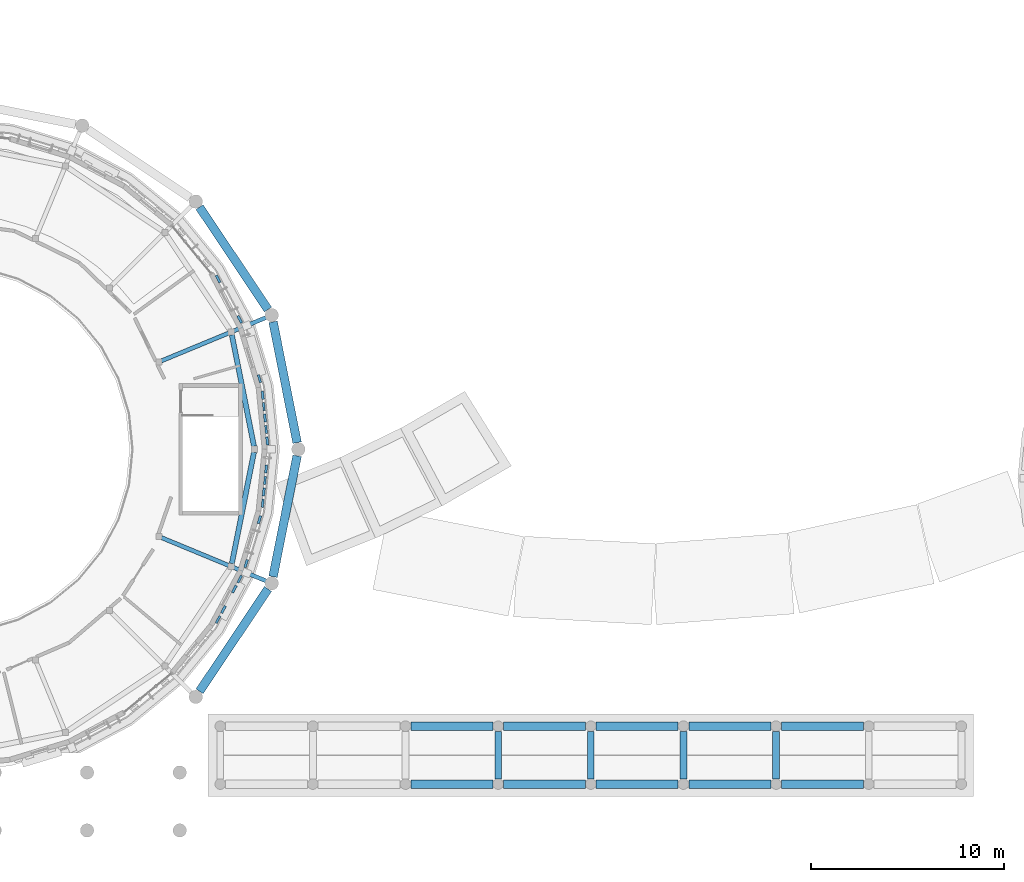
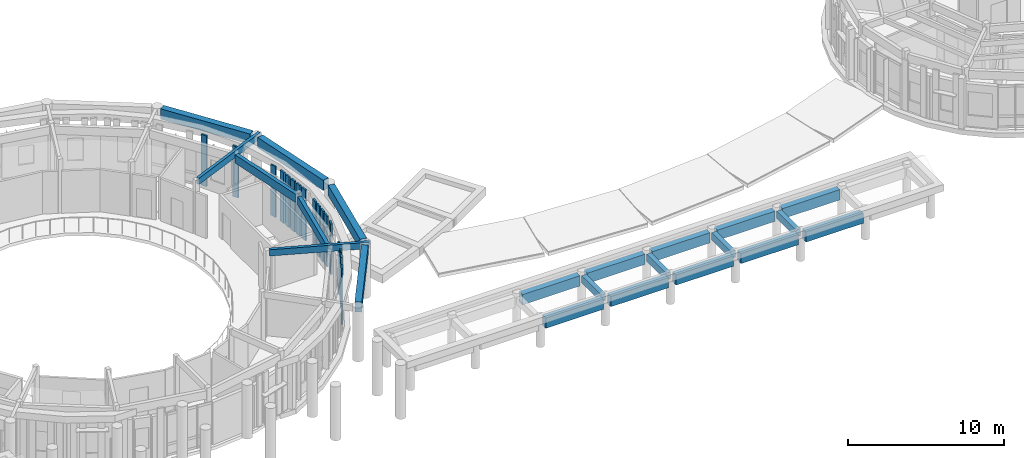
# One storey, part 15 of 80: 20 beams, 20 members.
"""IFC4 building model written with IfcOpenShell, lengths in metres."""

from ifc_helpers import new_model, si_unit, direction, frame, origin, origin_2d, place, context, subcontext, project, spatial, rectangle, extrude, material, material_profile, profile_set, type_object, element, save


model = new_model("IFC4")

# Units and contexts
model_context = context("Model", 3, precision=1e-05, world=origin(), true_north=direction((0.0, 1.0)))
body_context = subcontext(model_context, "Body", "Model", "MODEL_VIEW")
ifc_project = project(units=[si_unit("LENGTHUNIT", "METRE"), si_unit("AREAUNIT", "SQUARE_METRE"), si_unit("VOLUMEUNIT", "CUBIC_METRE"), si_unit("PLANEANGLEUNIT", "RADIAN"), si_unit("MASSUNIT", "GRAM", prefix="KILO")], contexts=[model_context])

# Site, building, storey
site_placement = place(None, origin())
site = spatial("IfcSite", under=ifc_project, at=site_placement, CompositionType="ELEMENT")
building_placement = place(site_placement, origin())
building = spatial("IfcBuilding", under=site, at=building_placement, Name="Aldenvaro Health Centre", CompositionType="ELEMENT")
storey_placement = place(building_placement, frame((0.0, 0.0, 4.550048828125)))
storey = spatial("IfcBuildingStorey", under=building, at=storey_placement, Name="L01", CompositionType="ELEMENT", Elevation=4.550048828125)

# Beams
ifc_material_1 = material(Name="Glulam GL28h", Category="wood")
ifc_material_profile_1 = material_profile(ifc_material_1, rectangle(XDim=0.264892578125, YDim=0.64599609375, at=origin_2d()), Name="GL 265x646", Category="wood")
ifc_profile_set_1 = profile_set([ifc_material_profile_1], Name="Glulam GL28h")
beam_type_1 = type_object("IfcBeamType", Name="BM-GL-646", PredefinedType="SPANDREL", material=ifc_profile_set_1)
for number, where, z_axis, x_axis, name in (
    (1, (102.84912109375, 20.154052734375, 3.636962890625), (-0.19503844742, 0.980795597476, 0.0), (-0.980795597476, -0.19503844742, 0.0), "D1 L01 perimeter spandrel 01"),
    (2, (101.701904296875, 14.076904296875, 3.636962890625), (0.19503844742, 0.980795597476, 0.0), (-0.980795597476, 0.19503844742, 0.0), "D1 L01 perimeter spandrel 16"),
):
    element("IfcBeam", number, at=place(storey_placement, frame(where, z_axis=z_axis, x_axis=x_axis)), inside=storey, type_object=beam_type_1, Name=name, PredefinedType="SPANDREL", context=body_context, shape_type="SweptSolid", body=[
        extrude(rectangle(XDim=0.264892578125, YDim=0.64599609375, at=origin_2d()), origin(), (0.0, 0.0, 1.0), 5.882080078125),
    ])
ifc_material_2 = material(Name="Concrete f'c 40 MPa", Category="concrete")
ifc_material_profile_2 = material_profile(ifc_material_2, rectangle(XDim=0.35009765625, YDim=0.56005859375, at=origin_2d()), Name="RC 350x560", Category="concrete")
ifc_profile_set_2 = profile_set([ifc_material_profile_2], Name="Concrete f'c 40 MPa")
beam_type_2 = type_object("IfcBeamType", Name="BM-RC-560E", PredefinedType="JOIST", material=ifc_profile_set_2)
for number, where, z_axis, x_axis, name in (
    (3, (115.5, 2.925048828125, 1.869873046875), (0.0, 1.0, 0.0), (-1.0, 0.0, 0.0), "South Stoa E Transverse Beam L01-4"),
    (4, (120.300048828125, 2.925048828125, 1.869873046875), (0.0, 1.0, 0.0), (-1.0, 0.0, 0.0), "South Stoa E Transverse Beam L01-5"),
    (5, (125.10009765625, 2.925048828125, 1.869873046875), (0.0, 1.0, 0.0), (-1.0, 0.0, 0.0), "South Stoa E Transverse Beam L01-6"),
    (6, (129.89990234375, 2.925048828125, 1.869873046875), (0.0, 1.0, 0.0), (-1.0, 0.0, 0.0), "South Stoa E Transverse Beam L01-7"),
):
    element("IfcBeam", number, at=place(storey_placement, frame(where, z_axis=z_axis, x_axis=x_axis)), inside=storey, type_object=beam_type_2, Name=name, PredefinedType="JOIST", context=body_context, shape_type="SweptSolid", body=[
        extrude(rectangle(XDim=0.35009765625, YDim=0.56005859375, at=origin_2d()), origin(), (0.0, 0.0, 1.0), 2.449951171875),
    ])
ifc_material_profile_3 = material_profile(ifc_material_2, rectangle(XDim=0.449951171875, YDim=0.800048828125, at=origin_2d()), Name="RC 450x800", Category="concrete")
ifc_profile_set_3 = profile_set([ifc_material_profile_3], Name="Concrete f'c 40 MPa")
beam_type_3 = type_object("IfcBeamType", Name="BM-RC-800", PredefinedType="SPANDREL", material=ifc_profile_set_3)
for number, where, z_axis, x_axis, name in (
    (7, (110.97509765625, 2.64990234375, 1.75), (1.0, 0.0, 0.0), (0.0, 1.0, 0.0), "South Stoa E Classical Architrave L01-3.1"),
    (8, (110.97509765625, 5.64990234375, 1.75), (1.0, 0.0, 0.0), (0.0, 1.0, 0.0), "South Stoa E Classical Architrave L01-3.2"),
    (9, (115.77490234375, 2.64990234375, 1.75), (1.0, 0.0, 0.0), (0.0, 1.0, 0.0), "South Stoa E Classical Architrave L01-4.1"),
    (10, (115.77490234375, 5.64990234375, 1.75), (1.0, 0.0, 0.0), (0.0, 1.0, 0.0), "South Stoa E Classical Architrave L01-4.2"),
    (11, (120.574951171875, 2.64990234375, 1.75), (1.0, 0.0, 0.0), (0.0, 1.0, 0.0), "South Stoa E Classical Architrave L01-5.1"),
    (12, (120.574951171875, 5.64990234375, 1.75), (1.0, 0.0, 0.0), (0.0, 1.0, 0.0), "South Stoa E Classical Architrave L01-5.2"),
    (13, (125.375, 2.64990234375, 1.75), (1.0, 0.0, 0.0), (0.0, 1.0, 0.0), "South Stoa E Classical Architrave L01-6.1"),
    (14, (125.375, 5.64990234375, 1.75), (1.0, 0.0, 0.0), (0.0, 1.0, 0.0), "South Stoa E Classical Architrave L01-6.2"),
    (15, (130.175048828125, 2.64990234375, 1.75), (1.0, 0.0, 0.0), (0.0, 1.0, 0.0), "South Stoa E Classical Architrave L01-7.1"),
    (16, (130.175048828125, 5.64990234375, 1.75), (1.0, 0.0, 0.0), (0.0, 1.0, 0.0), "South Stoa E Classical Architrave L01-7.2"),
):
    element("IfcBeam", number, at=place(storey_placement, frame(where, z_axis=z_axis, x_axis=x_axis)), inside=storey, type_object=beam_type_3, Name=name, PredefinedType="SPANDREL", context=body_context, shape_type="SweptSolid", body=[
        extrude(rectangle(XDim=0.449951171875, YDim=0.800048828125, at=origin_2d()), origin(), (0.0, 0.0, 1.0), 4.25),
    ])
beam_1_placement = place(storey_placement, frame((105.08203125, 20.343017578125, 3.800048828125), z_axis=(-0.195226015324, 0.980758279568, 0.0), x_axis=(-0.980758279568, -0.195226015324, 0.0)))
element("IfcBeam", 17, at=beam_1_placement, inside=storey, type_object=beam_type_3, Name="Waiting Rotunda Peristyle Entablature Ring 01", PredefinedType="SPANDREL", context=body_context, shape_type="SweptSolid", body=[
    extrude(rectangle(XDim=0.449951171875, YDim=0.800048828125, at=origin_2d()), origin(), (0.0, 0.0, 1.0), 6.3828125),
])
for number, where, z_axis, x_axis, name in (
    (18, (103.573974609375, 27.237060546875, 3.800048828125), (-0.555635655286, 0.831425894818, 0.0), (-0.831425894818, -0.555635655286, 0.0), "Waiting Rotunda Peristyle Entablature Ring 02"),
    (19, (100.028076171875, 7.45703125, 3.800048828125), (0.555635655286, 0.831425894818, 0.0), (-0.831425894818, 0.555635655286, 0.0), "Waiting Rotunda Peristyle Entablature Ring 15"),
):
    element("IfcBeam", number, at=place(storey_placement, frame(where, z_axis=z_axis, x_axis=x_axis)), inside=storey, type_object=beam_type_3, Name=name, PredefinedType="SPANDREL", context=body_context, shape_type="SweptSolid", body=[
        extrude(rectangle(XDim=0.449951171875, YDim=0.800048828125, at=origin_2d()), origin(), (0.0, 0.0, 1.0), 6.381591796875),
    ])
beam_2_placement = place(storey_placement, frame((103.8359375, 13.39697265625, 3.800048828125), z_axis=(0.195226015324, 0.980758279568, 0.0), x_axis=(-0.980758279568, 0.195226015324, 0.0)))
element("IfcBeam", 20, at=beam_2_placement, inside=storey, type_object=beam_type_3, Name="Waiting Rotunda Peristyle Entablature Ring 16", PredefinedType="SPANDREL", context=body_context, shape_type="SweptSolid", body=[
    extrude(rectangle(XDim=0.449951171875, YDim=0.800048828125, at=origin_2d()), origin(), (0.0, 0.0, 1.0), 6.3828125),
])

# Members
ifc_material_profile_4 = material_profile(ifc_material_1, rectangle(XDim=0.215087890625, YDim=0.493896484375, at=origin_2d()), Name="GL 215x494", Category="wood")
ifc_profile_set_4 = profile_set([ifc_material_profile_4], Name="Glulam GL28h")
member_type_1 = type_object("IfcMemberType", Name="MEM-RF-494", PredefinedType="RAFTER", material=ifc_profile_set_4)
for number, where, z_axis, x_axis, name in (
    (21, (104.027099609375, 27.052978515625, 3.952880859375), (-0.923885312463, -0.382669478028, 0.0), (0.382669478028, -0.923885312463, 0.0), "Waiting Rotunda Cornice Outrigger Rafter 02"),
    (22, (104.027099609375, 12.947021484375, 3.952880859375), (-0.923885312463, 0.382669478028, 0.0), (-0.382669478028, -0.923885312463, 0.0), "Waiting Rotunda Cornice Outrigger Rafter 16"),
):
    element("IfcMember", number, at=place(storey_placement, frame(where, z_axis=z_axis, x_axis=x_axis)), inside=storey, type_object=member_type_1, Name=name, PredefinedType="RAFTER", context=body_context, shape_type="SweptSolid", body=[
        extrude(rectangle(XDim=0.215087890625, YDim=0.493896484375, at=origin_2d()), origin(), (0.0, 0.0, 1.0), 6.470458984375),
    ])
ifc_material_profile_5 = material_profile(ifc_material_1, rectangle(XDim=0.114990234375, YDim=0.419921875, at=origin_2d()), Name="GL 115x420", Category="wood")
ifc_profile_set_5 = profile_set([ifc_material_profile_5], Name="Glulam GL28h")
member_type_2 = type_object("IfcMemberType", Name="MEM-SLT-420A", PredefinedType="POST", material=ifc_profile_set_5)
for number, where, z_axis, x_axis, name in (
    (23, (103.4169921875, 18.383056640625, 0.0), (0.0, 0.0, 1.0), (0.995186971968, -0.097994340783, 0.0), "D1 L01 vertical timber slat 1.3"),
    (24, (103.300048828125, 17.201904296875, 0.0), (0.0, 0.0, 1.0), (0.995186971968, -0.097994340783, 0.0), "D1 L01 vertical timber slat 1.5"),
    (25, (102.10791015625, 13.27099609375, 0.0), (0.0, 0.0, 1.0), (0.88183578132, -0.471556629455, 0.0), "D1 L01 vertical timber slat 3.1"),
    (26, (100.988037109375, 11.177001953125, 0.0), (0.0, 0.0, 1.0), (0.88183578132, -0.471556629455, 0.0), "D1 L01 vertical timber slat 3.5"),
    (27, (103.131103515625, 23.652099609375, 0.0), (0.0, 0.0, 1.0), (0.95697469172, 0.290171396605, 0.0), "D1 L01 vertical timber slat 31.5"),
    (28, (103.35791015625, 22.20703125, 0.0), (0.0, 0.0, 1.0), (0.995186971968, 0.097994340783, 0.0), "D1 L01 vertical timber slat 32.2"),
    (29, (103.47509765625, 21.02587890625, 0.0), (0.0, 0.0, 1.0), (0.995186971968, 0.097994340783, 0.0), "D1 L01 vertical timber slat 32.4"),
):
    element("IfcMember", number, at=place(storey_placement, frame(where, z_axis=z_axis, x_axis=x_axis)), inside=storey, type_object=member_type_2, Name=name, PredefinedType="POST", context=body_context, shape_type="SweptSolid", body=[
        extrude(rectangle(XDim=0.114990234375, YDim=0.419921875, at=origin_2d()), origin(), (0.0, 0.0, 1.0), 3.9599609375),
    ])
ifc_material_profile_6 = material_profile(ifc_material_1, rectangle(XDim=0.1298828125, YDim=0.419921875, at=origin_2d()), Name="GL 130x420", Category="wood")
ifc_profile_set_6 = profile_set([ifc_material_profile_6], Name="Glulam GL28h")
member_type_3 = type_object("IfcMemberType", Name="MEM-SLT-420B", PredefinedType="POST", material=ifc_profile_set_6)
for number, where, z_axis, x_axis, name in (
    (30, (103.47509765625, 18.97412109375, 0.0), (0.0, 0.0, 1.0), (0.995186971968, -0.097994340783, 0.0), "D1 L01 vertical timber slat 1.2"),
    (31, (103.35791015625, 17.79296875, 0.0), (0.0, 0.0, 1.0), (0.995186971968, -0.097994340783, 0.0), "D1 L01 vertical timber slat 1.4"),
    (32, (103.131103515625, 16.347900390625, 0.0), (0.0, 0.0, 1.0), (0.95697469172, -0.290171396605, 0.0), "D1 L01 vertical timber slat 2.1"),
    (33, (102.44091796875, 14.074951171875, 0.0), (0.0, 0.0, 1.0), (0.95697469172, -0.290171396605, 0.0), "D1 L01 vertical timber slat 2.5"),
    (34, (101.827880859375, 12.748046875, 0.0), (0.0, 0.0, 1.0), (0.88183578132, -0.471556629455, 0.0), "D1 L01 vertical timber slat 3.2"),
    (35, (101.26806640625, 11.699951171875, 0.0), (0.0, 0.0, 1.0), (0.88183578132, -0.471556629455, 0.0), "D1 L01 vertical timber slat 3.4"),
    (36, (100.988037109375, 28.822998046875, 0.0), (0.0, 0.0, 1.0), (0.88183578132, 0.471556629455, 0.0), "D1 L01 vertical timber slat 30.1"),
    (37, (102.10791015625, 26.72900390625, 0.0), (0.0, 0.0, 1.0), (0.88183578132, 0.471556629455, 0.0), "D1 L01 vertical timber slat 30.5"),
    (38, (103.300048828125, 22.798095703125, 0.0), (0.0, 0.0, 1.0), (0.995186971968, 0.097994340783, 0.0), "D1 L01 vertical timber slat 32.1"),
    (39, (103.4169921875, 21.616943359375, 0.0), (0.0, 0.0, 1.0), (0.995186971968, 0.097994340783, 0.0), "D1 L01 vertical timber slat 32.3"),
    (40, (103.532958984375, 20.43505859375, 0.0), (0.0, 0.0, 1.0), (0.995186971968, 0.097994340783, 0.0), "D1 L01 vertical timber slat 32.5"),
):
    element("IfcMember", number, at=place(storey_placement, frame(where, z_axis=z_axis, x_axis=x_axis)), inside=storey, type_object=member_type_3, Name=name, PredefinedType="POST", context=body_context, shape_type="SweptSolid", body=[
        extrude(rectangle(XDim=0.1298828125, YDim=0.419921875, at=origin_2d()), origin(), (0.0, 0.0, 1.0), 3.9599609375),
    ])

save(model, "model.ifc")
